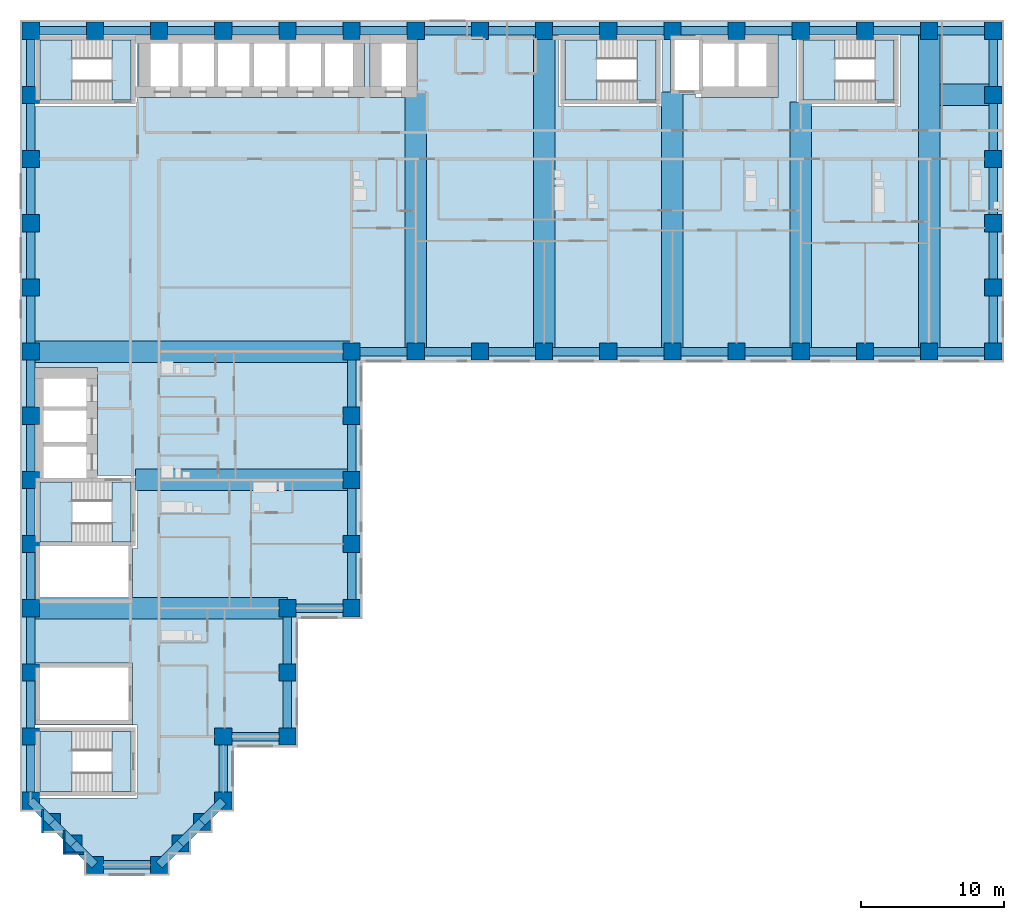
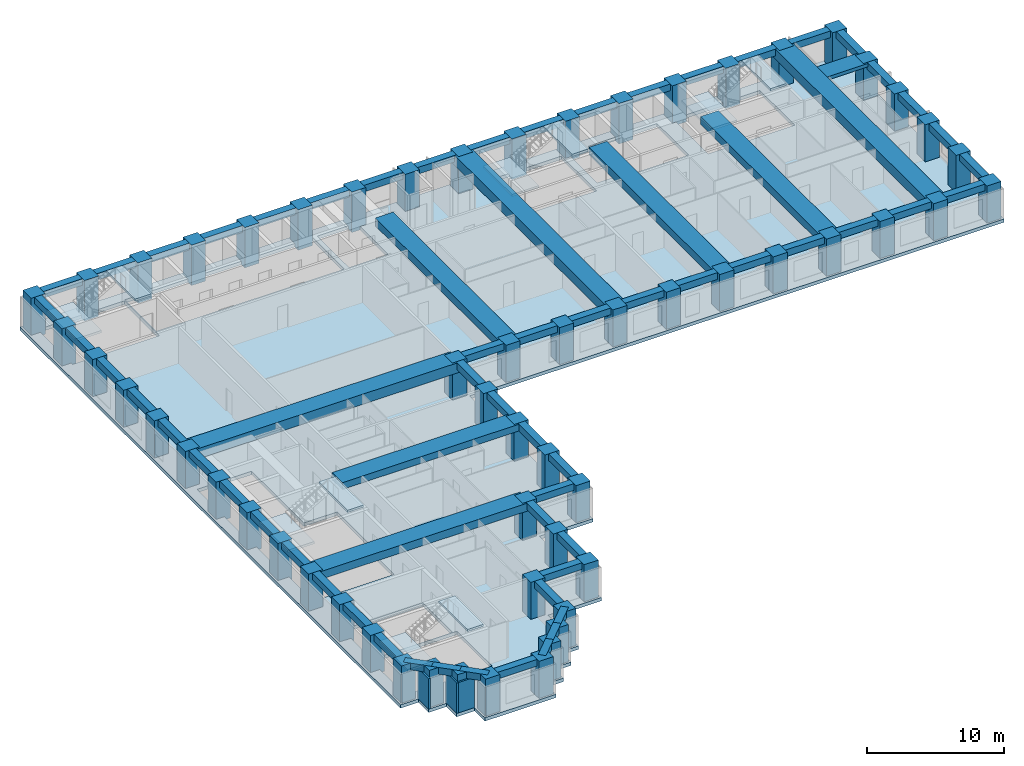
# One storey, part 1 of 11: 67 beams, 58 columns, 11 slabs, 3 walls, 5 elements without a shape of their own.
"""IFC4 building model written with IfcOpenShell, lengths in metres."""

import ifcopenshell
import ifcopenshell.guid

model = None  # the IFC model being written
_history = None  # IfcOwnerHistory: only IFC2X3 demands one
_inside = {}  # id of a spatial element -> (the spatial element, [elements in it])
_under = {}  # id of a project, library or spatial element -> (it, [spatial elements below it])
_declared = {}  # id of a project -> (the project, [libraries it declares])
_typed = {}  # id of a type object -> (the type object, [elements of that type])
_made_of = {}  # id of a material, layer set ... -> (it, [elements and type objects made of it])


def new_model(schema):
    """Start an empty IFC model of exactly this schema.

    Asked for "IFC4X3", IfcOpenShell would pick the latest addendum, in which some entities
    have other attributes; the version numbers below select the first issue.
    IFC2X3 requires an IfcOwnerHistory on every rooted entity: one is made here for all.
    """
    global model, _history
    if schema == "IFC4X3":
        model = ifcopenshell.file(schema_version=(4, 3, 0, 0))
    else:
        model = ifcopenshell.file(schema=schema)
    _inside.clear()
    _under.clear()
    _declared.clear()
    _typed.clear()
    _made_of.clear()
    _history = None
    if model.schema == "IFC2X3":
        org = make("IfcOrganization", Name="unknown")
        user = make(
            "IfcPersonAndOrganization",
            ThePerson=make("IfcPerson", FamilyName="unknown"),
            TheOrganization=org,
        )
        app = make(
            "IfcApplication",
            ApplicationDeveloper=org,
            Version="unknown",
            ApplicationFullName="unknown",
            ApplicationIdentifier="unknown",
        )
        _history = make(
            "IfcOwnerHistory",
            OwningUser=user,
            OwningApplication=app,
            ChangeAction="ADDED",
            CreationDate=0,
        )
    return model


def make(cls, **values):
    """One entity of the class cls with the attributes given. An attribute that is None is left unset."""
    return model.create_entity(
        cls, **{name: value for name, value in values.items() if value is not None}
    )


def rooted(cls, **values):
    """An entity with a GlobalId (a new one), such as an element, a storey or a relation."""
    return make(cls, GlobalId=ifcopenshell.guid.new(), OwnerHistory=_history, **values)


def si_unit(unit_type, name, prefix=None):
    """IfcSIUnit, for example si_unit("LENGTHUNIT", "METRE", prefix="MILLI")."""
    return make("IfcSIUnit", UnitType=unit_type, Prefix=prefix, Name=name)


def assignment(units):
    """IfcUnitAssignment: the units of a project."""
    return None if units is None else make("IfcUnitAssignment", Units=units)


def point(xyz):
    """IfcCartesianPoint."""
    return None if xyz is None else make("IfcCartesianPoint", Coordinates=xyz)


def direction(xyz):
    """IfcDirection."""
    return None if xyz is None else make("IfcDirection", DirectionRatios=xyz)


def frame(location, z_axis=None, x_axis=None):
    """IfcAxis2Placement3D, a coordinate frame: its origin and axes. An axis left out is left unset."""
    return make(
        "IfcAxis2Placement3D",
        Location=point(location),
        Axis=direction(z_axis),
        RefDirection=direction(x_axis),
    )


def frame_2d(location, x_axis=None):
    """IfcAxis2Placement2D, a coordinate frame in the plane: its origin and x axis."""
    return make(
        "IfcAxis2Placement2D", Location=point(location), RefDirection=direction(x_axis)
    )


def origin():
    """The frame at (0, 0, 0) with its axes left unset."""
    return frame((0.0, 0.0, 0.0))


def origin_2d():
    """The frame at (0, 0) in the plane with its x axis left unset."""
    return frame_2d((0.0, 0.0))


def place(relative_to, where):
    """IfcLocalPlacement: puts the frame where relative to a parent placement (None: the world)."""
    return make(
        "IfcLocalPlacement", PlacementRelTo=relative_to, RelativePlacement=where
    )


def context(
    kind, dimensions, precision=None, world=None, true_north=None, identifier=None
):
    """IfcGeometricRepresentationContext, for example the 3D "Model" context."""
    return make(
        "IfcGeometricRepresentationContext",
        ContextIdentifier=identifier,
        ContextType=kind,
        CoordinateSpaceDimension=dimensions,
        Precision=precision,
        WorldCoordinateSystem=world,
        TrueNorth=true_north,
    )


def subcontext(parent, identifier, kind, view, scale=None):
    """IfcGeometricRepresentationSubContext, for example "Body" below "Model"."""
    return make(
        "IfcGeometricRepresentationSubContext",
        ContextIdentifier=identifier,
        ContextType=kind,
        ParentContext=parent,
        TargetScale=scale,
        TargetView=view,
    )


def project(units=None, contexts=None):
    """IfcProject with its units and contexts."""
    return rooted(
        "IfcProject",
        Name="project",
        RepresentationContexts=contexts,
        UnitsInContext=assignment(units),
    )


def spatial(cls, under=None, at=None, **own):
    """A site, building, storey or space (cls), placed at a placement, below another one or the project."""
    s = rooted(cls, ObjectPlacement=at, **own)
    if under is not None:
        _under.setdefault(under.id(), (under, []))[1].append(s)
    return s


def polyline(points):
    """IfcPolyline through the points."""
    return make("IfcPolyline", Points=[point(p) for p in points])


def profile(cls, at=None, kind="AREA", **sizes):
    """A parametric profile (cls). Its sizes go by their IFC names, for example OverallWidth=200.0."""
    return make(cls, ProfileType=kind, Position=at, **sizes)


def rectangle(**sizes):
    """IfcRectangleProfileDef."""
    return profile("IfcRectangleProfileDef", **sizes)


def outline(outer, holes=None, kind="AREA"):
    """IfcArbitraryClosedProfileDef: a profile drawn as a closed curve; with holes, ...WithVoids."""
    if holes is None:
        return make("IfcArbitraryClosedProfileDef", ProfileType=kind, OuterCurve=outer)
    return make(
        "IfcArbitraryProfileDefWithVoids",
        ProfileType=kind,
        OuterCurve=outer,
        InnerCurves=holes,
    )


def extrude(swept, where, along, depth):
    """IfcExtrudedAreaSolid: the profile swept, set in the frame where, extruded along a direction by depth."""
    return make(
        "IfcExtrudedAreaSolid",
        SweptArea=swept,
        Position=where,
        ExtrudedDirection=direction(along),
        Depth=depth,
    )


def shape(context_of_items, identifier, shape_type, items):
    """IfcShapeRepresentation: the items that make up one representation, for example the "Body"."""
    return make(
        "IfcShapeRepresentation",
        ContextOfItems=context_of_items,
        RepresentationIdentifier=identifier,
        RepresentationType=shape_type,
        Items=items,
    )


def material(Name=None, Category=None):
    """IfcMaterial."""
    return make("IfcMaterial", Name=Name, Category=Category)


def layer(
    of_material, thickness, ventilated=None, Name=None, Category=None, Priority=None
):
    """IfcMaterialLayer: one layer of a wall or slab, of a material (None: an air gap)."""
    return make(
        "IfcMaterialLayer",
        Material=of_material,
        LayerThickness=thickness,
        IsVentilated=ventilated,
        Name=Name,
        Category=Category,
        Priority=Priority,
    )


def layer_set(layers, Name=None):
    """IfcMaterialLayerSet."""
    return make("IfcMaterialLayerSet", MaterialLayers=layers, LayerSetName=Name)


def material_profile(
    of_material, cross_section, Name=None, Category=None, Priority=None
):
    """IfcMaterialProfile: a cross section and its material."""
    return make(
        "IfcMaterialProfile",
        Name=Name,
        Material=of_material,
        Profile=cross_section,
        Priority=Priority,
        Category=Category,
    )


def profile_set(profiles, Name=None, composite=None):
    """IfcMaterialProfileSet."""
    return make(
        "IfcMaterialProfileSet",
        Name=Name,
        MaterialProfiles=profiles,
        CompositeProfile=composite,
    )


def made_of(thing, what):
    """Note that an element or type object is made of a material, layer set ...; save() writes the relation."""
    if what is not None:
        _made_of.setdefault(what.id(), (what, []))[1].append(thing)
    return thing


def type_object(cls, material=None, **own):
    """A type object (cls), such as IfcWallType, which elements share."""
    return made_of(rooted(cls, **own), material)


def element(
    cls,
    number,
    at=None,
    inside=None,
    cuts=None,
    type_object=None,
    material=None,
    context=None,
    identifier="Body",
    shape_type=None,
    held_by="IfcProductDefinitionShape",
    body=None,
    shapes=None,
    **own,
):
    """One element of the class cls, such as IfcWall. Its Tag is "e" and its number.

    at: its placement. inside: the storey or other place that contains it. cuts: it is an
    opening in that element (IfcRelVoidsElement). A single representation is given by context,
    identifier, shape_type and body (its items); several are given by shapes. held_by: the class
    of the entity that holds the representations. save() writes the other relations.
    """
    e = rooted(cls, Tag="e%d" % number, ObjectPlacement=at, **own)
    if body is not None:
        shapes = [shape(context, identifier, shape_type, body)]
    if shapes is not None:
        e.Representation = make(held_by, Representations=shapes)
    if inside is not None:
        _inside.setdefault(inside.id(), (inside, []))[1].append(e)
    if cuts is not None:
        rooted(
            "IfcRelVoidsElement", RelatingBuildingElement=cuts, RelatedOpeningElement=e
        )
    if type_object is not None:
        _typed.setdefault(type_object.id(), (type_object, []))[1].append(e)
    return made_of(e, material)


def aggregate(whole, parts):
    """IfcRelAggregates: a whole, such as a stair, and the parts it consists of."""
    return rooted("IfcRelAggregates", RelatingObject=whole, RelatedObjects=parts)


def save(model, path):
    """Write the relations noted so far, then the file.

    IfcRelAggregates (storeys below a building ...), IfcRelContainedInSpatialStructure (elements
    in a storey), IfcRelDefinesByType, IfcRelAssociatesMaterial and IfcRelDeclares: one each for
    every whole, place, type object, material and project.
    """
    for whole, parts in _under.values():
        aggregate(whole, parts)
    for where, things in _inside.values():
        rooted(
            "IfcRelContainedInSpatialStructure",
            RelatedElements=things,
            RelatingStructure=where,
        )
    for kind, things in _typed.values():
        rooted("IfcRelDefinesByType", RelatedObjects=things, RelatingType=kind)
    for what, things in _made_of.values():
        rooted("IfcRelAssociatesMaterial", RelatedObjects=things, RelatingMaterial=what)
    for by, libraries in _declared.values():
        rooted("IfcRelDeclares", RelatingContext=by, RelatedDefinitions=libraries)
    model.write(path)


model = new_model("IFC4")

# Units and contexts
model_context = context("Model", 3, precision=1e-05, world=origin(), true_north=direction((0.0, 1.0)))
body_context = subcontext(model_context, "Body", "Model", "MODEL_VIEW")
ifc_project = project(units=[si_unit("LENGTHUNIT", "METRE"), si_unit("AREAUNIT", "SQUARE_METRE"), si_unit("VOLUMEUNIT", "CUBIC_METRE"), si_unit("PLANEANGLEUNIT", "RADIAN"), si_unit("MASSUNIT", "GRAM", prefix="KILO")], contexts=[model_context])

# Site, building, storey
site_placement = place(None, origin())
site = spatial("IfcSite", under=ifc_project, at=site_placement, CompositionType="ELEMENT")
building_placement = place(site_placement, origin())
building = spatial("IfcBuilding", under=site, at=building_placement, Name="Firuza Court", CompositionType="ELEMENT")
storey_placement = place(building_placement, frame((0.0, 0.0, 57.800048828125)))
storey = spatial("IfcBuildingStorey", under=building, at=storey_placement, Name="L13", CompositionType="ELEMENT", Elevation=57.800048828125)

# Columns
ifc_material_1 = material(Name="Concrete C70/85", Category="concrete")
ifc_material_profile_1 = material_profile(ifc_material_1, rectangle(XDim=1.199951171875, YDim=1.199951171875, at=origin_2d()), Name="RC 1200x1200")
ifc_profile_set_1 = profile_set([ifc_material_profile_1], Name="Concrete C70/85")
column_type = type_object("IfcColumnType", Name="Tube column RC 1200x1200 C70/85", PredefinedType="COLUMN", material=ifc_profile_set_1)
for number, where, z_axis, x_axis, name in (
    (1, (4.5, 0.0, -0.300048828125), (0.0, 0.0, 1.0), (1.0, 0.0, 0.0), "Column C-2D L13"),
    (2, (9.0, 0.0, -0.300048828125), (0.0, 0.0, 1.0), (1.0, 0.0, 0.0), "Column C-3D L13"),
    (3, (3.0, 1.5, -0.300048828125), (0.0, 0.0, 1.0), (1.0, 0.0, 0.0), "Column C-SA1 L13"),
    (4, (10.5, 1.5, -0.300048828125), (0.0, 0.0, 1.0), (1.0, 0.0, 0.0), "Column C-SA2 L13"),
    (5, (1.5, 3.0, -0.300048828125), (0.0, 0.0, 1.0), (1.0, 0.0, 0.0), "Column C-SA3 L13"),
    (6, (12.0, 3.0, -0.300048828125), (0.0, 0.0, 1.0), (1.0, 0.0, 0.0), "Column C-SA4 L13"),
    (7, (0.0, 4.5, -0.300048828125), (0.0, 0.0, 1.0), (1.0, 0.0, 0.0), "Column C-1E L13"),
    (8, (13.5, 4.5, -0.300048828125), (0.0, 0.0, 1.0), (1.0, 0.0, 0.0), "Column C-4E L13"),
    (9, (0.0, 9.0, -0.300048828125), (0.0, 0.0, 1.0), (1.0, 0.0, 0.0), "Column C-1F L13"),
    (10, (13.5, 9.0, -0.300048828125), (0.0, 0.0, 1.0), (1.0, 0.0, 0.0), "Column C-4F L13"),
    (11, (18.0, 9.0, -0.300048828125), (0.0, 0.0, 1.0), (1.0, 0.0, 0.0), "Column C-5F L13"),
    (12, (0.0, 13.5, -0.300048828125), (0.0, 0.0, 1.0), (1.0, 0.0, 0.0), "Column C-1G L13"),
    (13, (18.0, 13.5, -0.300048828125), (0.0, 0.0, 1.0), (1.0, 0.0, 0.0), "Column C-5G L13"),
    (14, (0.0, 18.0, -0.300048828125), (0.0, 0.0, 1.0), (1.0, 0.0, 0.0), "Column C-1H L13"),
    (15, (18.0, 18.0, -0.300048828125), (0.0, 0.0, 1.0), (1.0, 0.0, 0.0), "Column C-5H L13"),
    (16, (22.5, 18.0, -0.300048828125), (0.0, 0.0, 1.0), (1.0, 0.0, 0.0), "Column C-6H L13"),
    (17, (0.0, 22.5, -0.300048828125), (0.0, 0.0, 1.0), (1.0, 0.0, 0.0), "Column C-1J L13"),
    (18, (22.5, 22.5, -0.300048828125), (0.0, 0.0, 1.0), (1.0, 0.0, 0.0), "Column C-6J L13"),
    (19, (0.0, 27.0, -0.300048828125), (0.0, 0.0, 1.0), (1.0, 0.0, 0.0), "Column C-1K L13"),
    (20, (22.5, 27.0, -0.300048828125), (0.0, 0.0, 1.0), (1.0, 0.0, 0.0), "Column C-6K L13"),
    (21, (0.0, 31.5, -0.300048828125), (0.0, 0.0, 1.0), (1.0, 0.0, 0.0), "Column C-1L L13"),
    (22, (22.5, 31.5, -0.300048828125), (0.0, 0.0, 1.0), (1.0, 0.0, 0.0), "Column C-6L L13"),
    (23, (0.0, 36.0, -0.300048828125), (0.0, 0.0, 1.0), (1.0, 0.0, 0.0), "Column C-1M L13"),
    (24, (22.5, 36.0, -0.300048828125), (0.0, 0.0, 1.0), (1.0, 0.0, 0.0), "Column C-6M L13"),
    (25, (27.0, 36.0, -0.300048828125), (0.0, 0.0, 1.0), (1.0, 0.0, 0.0), "Column C-7M L13"),
    (26, (31.5, 36.0, -0.300048828125), (0.0, 0.0, 1.0), (1.0, 0.0, 0.0), "Column C-8M L13"),
    (27, (36.0, 36.0, -0.300048828125), (0.0, 0.0, 1.0), (1.0, 0.0, 0.0), "Column C-9M L13"),
    (28, (40.5, 36.0, -0.300048828125), (0.0, 0.0, 1.0), (1.0, 0.0, 0.0), "Column C-10M L13"),
    (29, (45.0, 36.0, -0.300048828125), (0.0, 0.0, 1.0), (1.0, 0.0, 0.0), "Column C-11M L13"),
    (30, (49.5, 36.0, -0.300048828125), (0.0, 0.0, 1.0), (1.0, 0.0, 0.0), "Column C-12M L13"),
    (31, (54.0, 36.0, -0.300048828125), (0.0, 0.0, 1.0), (1.0, 0.0, 0.0), "Column C-13M L13"),
    (32, (58.5, 36.0, -0.300048828125), (0.0, 0.0, 1.0), (1.0, 0.0, 0.0), "Column C-14M L13"),
    (33, (63.0, 36.0, -0.300048828125), (0.0, 0.0, 1.0), (1.0, 0.0, 0.0), "Column C-15M L13"),
    (34, (67.5, 36.0, -0.300048828125), (0.0, 0.0, 1.0), (1.0, 0.0, 0.0), "Column C-16M L13"),
    (35, (0.0, 40.5, -0.300048828125), (0.0, 0.0, 1.0), (1.0, 0.0, 0.0), "Column C-1N L13"),
    (36, (67.5, 40.5, -0.300048828125), (0.0, 0.0, 1.0), (1.0, 0.0, 0.0), "Column C-16N L13"),
    (37, (0.0, 45.0, -0.300048828125), (0.0, 0.0, 1.0), (1.0, 0.0, 0.0), "Column C-1P L13"),
    (38, (67.5, 45.0, -0.300048828125), (0.0, 0.0, 1.0), (1.0, 0.0, 0.0), "Column C-16P L13"),
    (39, (0.0, 49.5, -0.300048828125), (0.0, 0.0, 1.0), (1.0, 0.0, 0.0), "Column C-1Q L13"),
    (40, (67.5, 49.5, -0.300048828125), (0.0, 0.0, 1.0), (1.0, 0.0, 0.0), "Column C-16Q L13"),
    (41, (0.0, 54.0, -0.300048828125), (0.0, 0.0, 1.0), (1.0, 0.0, 0.0), "Column C-1R L13"),
    (42, (67.5, 54.0, -0.300048828125), (0.0, 0.0, 1.0), (1.0, 0.0, 0.0), "Column C-16R L13"),
    (43, (0.0, 58.5, -0.300048828125), (0.0, 0.0, 1.0), (1.0, 0.0, 0.0), "Column C-1S L13"),
    (44, (4.5, 58.5, -0.300048828125), (0.0, 0.0, 1.0), (1.0, 0.0, 0.0), "Column C-2S L13"),
    (45, (9.0, 58.5, -0.300048828125), (0.0, 0.0, 1.0), (1.0, 0.0, 0.0), "Column C-3S L13"),
    (46, (13.5, 58.5, -0.300048828125), (0.0, 0.0, 1.0), (1.0, 0.0, 0.0), "Column C-4S L13"),
    (47, (18.0, 58.5, -0.300048828125), (0.0, 0.0, 1.0), (1.0, 0.0, 0.0), "Column C-5S L13"),
    (48, (22.5, 58.5, -0.300048828125), (0.0, 0.0, 1.0), (1.0, 0.0, 0.0), "Column C-6S L13"),
    (49, (27.0, 58.5, -0.300048828125), (0.0, 0.0, 1.0), (1.0, 0.0, 0.0), "Column C-7S L13"),
    (50, (31.5, 58.5, -0.300048828125), (0.0, 0.0, 1.0), (1.0, 0.0, 0.0), "Column C-8S L13"),
    (51, (36.0, 58.5, -0.300048828125), (0.0, 0.0, 1.0), (1.0, 0.0, 0.0), "Column C-9S L13"),
    (52, (40.5, 58.5, -0.300048828125), (0.0, 0.0, 1.0), (1.0, 0.0, 0.0), "Column C-10S L13"),
    (53, (45.0, 58.5, -0.300048828125), (0.0, 0.0, 1.0), (1.0, 0.0, 0.0), "Column C-11S L13"),
    (54, (49.5, 58.5, -0.300048828125), (0.0, 0.0, 1.0), (1.0, 0.0, 0.0), "Column C-12S L13"),
    (55, (54.0, 58.5, -0.300048828125), (0.0, 0.0, 1.0), (1.0, 0.0, 0.0), "Column C-13S L13"),
    (56, (58.5, 58.5, -0.300048828125), (0.0, 0.0, 1.0), (1.0, 0.0, 0.0), "Column C-14S L13"),
    (57, (63.0, 58.5, -0.300048828125), (0.0, 0.0, 1.0), (1.0, 0.0, 0.0), "Column C-15S L13"),
    (58, (67.5, 58.5, -0.300048828125), (0.0, 0.0, 1.0), (1.0, 0.0, 0.0), "Column C-16S L13"),
):
    element("IfcColumn", number, at=place(storey_placement, frame(where, z_axis=z_axis, x_axis=x_axis)), inside=storey, type_object=column_type, Name=name, PredefinedType="COLUMN", context=body_context, shape_type="SweptSolid", body=[
        extrude(rectangle(XDim=1.199951171875, YDim=1.199951171875, at=origin_2d()), origin(), (0.0, 0.0, 1.0), 3.60009765625),
    ])

# Beams
ifc_material_2 = material(Name="Concrete C40/50", Category="concrete")
ifc_material_profile_2 = material_profile(ifc_material_2, rectangle(XDim=1.5, YDim=0.300048828125, at=origin_2d()), Name="RC 1500x300")
ifc_profile_set_2 = profile_set([ifc_material_profile_2], Name="Concrete C40/50")
beam_type_1 = type_object("IfcBeamType", Name="Band beam RC 1500x300 C40/50", PredefinedType="BEAM", material=ifc_profile_set_2)
beam_1_placement = place(storey_placement, frame((67.5, 54.0, 3.14990234375), z_axis=(-1.0, 0.0, 0.0), x_axis=(0.0, -1.0, 0.0)))
element("IfcBeam", 59, at=beam_1_placement, inside=storey, type_object=beam_type_1, Name="Band beam FB6 level L14", PredefinedType="BEAM", context=body_context, shape_type="SweptSolid", body=[
    extrude(rectangle(XDim=1.5, YDim=0.300048828125, at=origin_2d()), origin(), (0.0, 0.0, 1.0), 3.75),
])
ifc_material_3 = material(Name="Concrete C40/50", Category="concrete")
ifc_material_profile_3 = material_profile(ifc_material_3, rectangle(XDim=1.5, YDim=0.60009765625, at=origin_2d()), Name="RC 1500x600")
ifc_profile_set_3 = profile_set([ifc_material_profile_3], Name="Concrete C40/50")
beam_type_2 = type_object("IfcBeamType", Name="Band beam RC 1500x600 C40/50", PredefinedType="BEAM", material=ifc_profile_set_3)
beam_2_placement = place(storey_placement, frame((22.5, 27.0, 3.0), z_axis=(-1.0, 0.0, 0.0), x_axis=(0.0, -1.0, 0.0)))
element("IfcBeam", 60, at=beam_2_placement, inside=storey, type_object=beam_type_2, Name="Band beam FB3 level L14", PredefinedType="BEAM", context=body_context, shape_type="SweptSolid", body=[
    extrude(rectangle(XDim=1.5, YDim=0.60009765625, at=origin_2d()), origin(), (0.0, 0.0, 1.0), 15.14990234375),
])
ifc_material_4 = material(Name="Concrete C40/50", Category="concrete")
ifc_material_profile_4 = material_profile(ifc_material_4, rectangle(XDim=1.5, YDim=0.699951171875, at=origin_2d()), Name="RC 1500x700")
ifc_profile_set_4 = profile_set([ifc_material_profile_4], Name="Concrete C40/50")
beam_type_3 = type_object("IfcBeamType", Name="Band beam RC 1500x700 C40/50", PredefinedType="BEAM", material=ifc_profile_set_4)
beam_3_placement = place(storey_placement, frame((0.0, 18.0, 2.949951171875), z_axis=(1.0, 0.0, 0.0), x_axis=(0.0, 1.0, 0.0)))
element("IfcBeam", 61, at=beam_3_placement, inside=storey, type_object=beam_type_3, Name="Band beam FB1 level L14", PredefinedType="BEAM", context=body_context, shape_type="SweptSolid", body=[
    extrude(rectangle(XDim=1.5, YDim=0.699951171875, at=origin_2d()), origin(), (0.0, 0.0, 1.0), 18.0),
])
for number, where, z_axis, x_axis, name in (
    (62, (27.0, 36.0, 2.949951171875), (0.0, 1.0, 0.0), (-1.0, 0.0, 0.0), "Band beam FB1 level L14"),
    (63, (45.0, 36.0, 2.949951171875), (0.0, 1.0, 0.0), (-1.0, 0.0, 0.0), "Band beam FB1 level L14"),
):
    element("IfcBeam", number, at=place(storey_placement, frame(where, z_axis=z_axis, x_axis=x_axis)), inside=storey, type_object=beam_type_3, Name=name, PredefinedType="BEAM", context=body_context, shape_type="SweptSolid", body=[
        extrude(rectangle(XDim=1.5, YDim=0.699951171875, at=origin_2d()), origin(), (0.0, 0.0, 1.0), 18.199951171875),
    ])
beam_4_placement = place(storey_placement, frame((54.0, 36.0, 2.949951171875), z_axis=(0.0, 1.0, 0.0), x_axis=(-1.0, 0.0, 0.0)))
element("IfcBeam", 64, at=beam_4_placement, inside=storey, type_object=beam_type_3, Name="Band beam FB1 level L14", PredefinedType="BEAM", context=body_context, shape_type="SweptSolid", body=[
    extrude(rectangle(XDim=1.5, YDim=0.699951171875, at=origin_2d()), origin(), (0.0, 0.0, 1.0), 17.5),
])
ifc_material_5 = material(Name="Concrete C40/50", Category="concrete")
ifc_material_profile_5 = material_profile(ifc_material_5, rectangle(XDim=1.5, YDim=0.89990234375, at=origin_2d()), Name="RC 1500x900")
ifc_profile_set_5 = profile_set([ifc_material_profile_5], Name="Concrete C40/50")
beam_type_4 = type_object("IfcBeamType", Name="Band beam RC 1500x900 C40/50", PredefinedType="BEAM", material=ifc_profile_set_5)
for number, where, z_axis, x_axis, name in (
    (65, (0.0, 36.0, 2.849853515625), (1.0, 0.0, 0.0), (0.0, 1.0, 0.0), "Band beam FB2 level L14"),
    (66, (36.0, 36.0, 2.849853515625), (0.0, 1.0, 0.0), (-1.0, 0.0, 0.0), "Band beam FB2 level L14"),
    (67, (63.0, 36.0, 2.849853515625), (0.0, 1.0, 0.0), (-1.0, 0.0, 0.0), "Band beam FB2 level L14"),
):
    element("IfcBeam", number, at=place(storey_placement, frame(where, z_axis=z_axis, x_axis=x_axis)), inside=storey, type_object=beam_type_4, Name=name, PredefinedType="BEAM", context=body_context, shape_type="SweptSolid", body=[
        extrude(rectangle(XDim=1.5, YDim=0.89990234375, at=origin_2d()), origin(), (0.0, 0.0, 1.0), 22.5),
    ])
ifc_material_6 = material(Name="Concrete C40/50", Category="concrete")
ifc_material_profile_6 = material_profile(ifc_material_6, rectangle(XDim=0.60009765625, YDim=0.60009765625, at=origin_2d()), Name="RC 600x600")
ifc_profile_set_6 = profile_set([ifc_material_profile_6], Name="Concrete C40/50")
beam_type_5 = type_object("IfcBeamType", Name="Spandrel beam RC 600x600 C40/50", PredefinedType="BEAM", material=ifc_profile_set_6)
beam_5_placement = place(storey_placement, frame((0.0, 4.5, 3.0), z_axis=(0.707106781187, -0.707106781187, 0.0), x_axis=(0.707106781187, 0.707106781187, 0.0)))
element("IfcBeam", 68, at=beam_5_placement, inside=storey, type_object=beam_type_5, Name="Spandrel beam SP11 level L14", PredefinedType="BEAM", context=body_context, shape_type="SweptSolid", body=[
    extrude(rectangle(XDim=0.60009765625, YDim=0.60009765625, at=origin_2d()), origin(), (0.0, 0.0, 1.0), 2.121337890625),
])
for number, where, z_axis, x_axis, name in (
    (69, (0.0, 9.0, 3.0), (0.0, -1.0, 0.0), (1.0, 0.0, 0.0), "Spandrel beam SP11 level L14"),
    (70, (0.0, 13.5, 3.0), (0.0, -1.0, 0.0), (1.0, 0.0, 0.0), "Spandrel beam SP11 level L14"),
    (71, (0.0, 18.0, 3.0), (0.0, -1.0, 0.0), (1.0, 0.0, 0.0), "Spandrel beam SP11 level L14"),
    (72, (0.0, 22.5, 3.0), (0.0, -1.0, 0.0), (1.0, 0.0, 0.0), "Spandrel beam SP11 level L14"),
    (73, (0.0, 27.0, 3.0), (0.0, -1.0, 0.0), (1.0, 0.0, 0.0), "Spandrel beam SP11 level L14"),
    (74, (0.0, 31.5, 3.0), (0.0, -1.0, 0.0), (1.0, 0.0, 0.0), "Spandrel beam SP11 level L14"),
    (75, (0.0, 36.0, 3.0), (0.0, -1.0, 0.0), (1.0, 0.0, 0.0), "Spandrel beam SP11 level L14"),
    (76, (0.0, 40.5, 3.0), (0.0, -1.0, 0.0), (1.0, 0.0, 0.0), "Spandrel beam SP11 level L14"),
    (77, (0.0, 45.0, 3.0), (0.0, -1.0, 0.0), (1.0, 0.0, 0.0), "Spandrel beam SP11 level L14"),
    (78, (0.0, 49.5, 3.0), (0.0, -1.0, 0.0), (1.0, 0.0, 0.0), "Spandrel beam SP11 level L14"),
    (79, (0.0, 54.0, 3.0), (0.0, -1.0, 0.0), (1.0, 0.0, 0.0), "Spandrel beam SP11 level L14"),
    (80, (0.0, 58.5, 3.0), (0.0, -1.0, 0.0), (1.0, 0.0, 0.0), "Spandrel beam SP11 level L14"),
):
    element("IfcBeam", number, at=place(storey_placement, frame(where, z_axis=z_axis, x_axis=x_axis)), inside=storey, type_object=beam_type_5, Name=name, PredefinedType="BEAM", context=body_context, shape_type="SweptSolid", body=[
        extrude(rectangle(XDim=0.60009765625, YDim=0.60009765625, at=origin_2d()), origin(), (0.0, 0.0, 1.0), 4.5),
    ])
for number, where, z_axis, x_axis, name in (
    (81, (1.5, 3.0, 3.0), (0.707106781187, -0.707106781187, 0.0), (0.707106781187, 0.707106781187, 0.0), "Spandrel beam SP11 level L14"),
    (82, (3.0, 1.5, 3.0), (0.707106781187, -0.707106781187, 0.0), (0.707106781187, 0.707106781187, 0.0), "Spandrel beam SP11 level L14"),
):
    element("IfcBeam", number, at=place(storey_placement, frame(where, z_axis=z_axis, x_axis=x_axis)), inside=storey, type_object=beam_type_5, Name=name, PredefinedType="BEAM", context=body_context, shape_type="SweptSolid", body=[
        extrude(rectangle(XDim=0.60009765625, YDim=0.60009765625, at=origin_2d()), origin(), (0.0, 0.0, 1.0), 2.121337890625),
    ])
for number, where, z_axis, x_axis, name in (
    (83, (4.5, 0.0, 3.0), (1.0, 0.0, 0.0), (0.0, 1.0, 0.0), "Spandrel beam SP11 level L14"),
    (84, (4.5, 58.5, 3.0), (-1.0, 0.0, 0.0), (0.0, -1.0, 0.0), "Spandrel beam SP11 level L14"),
):
    element("IfcBeam", number, at=place(storey_placement, frame(where, z_axis=z_axis, x_axis=x_axis)), inside=storey, type_object=beam_type_5, Name=name, PredefinedType="BEAM", context=body_context, shape_type="SweptSolid", body=[
        extrude(rectangle(XDim=0.60009765625, YDim=0.60009765625, at=origin_2d()), origin(), (0.0, 0.0, 1.0), 4.5),
    ])
beam_6_placement = place(storey_placement, frame((9.0, 0.0, 3.0), z_axis=(0.707106781187, 0.707106781187, 0.0), x_axis=(-0.707106781187, 0.707106781187, 0.0)))
element("IfcBeam", 85, at=beam_6_placement, inside=storey, type_object=beam_type_5, Name="Spandrel beam SP11 level L14", PredefinedType="BEAM", context=body_context, shape_type="SweptSolid", body=[
    extrude(rectangle(XDim=0.60009765625, YDim=0.60009765625, at=origin_2d()), origin(), (0.0, 0.0, 1.0), 2.121337890625),
])
beam_7_placement = place(storey_placement, frame((9.0, 58.5, 3.0), z_axis=(-1.0, 0.0, 0.0), x_axis=(0.0, -1.0, 0.0)))
element("IfcBeam", 86, at=beam_7_placement, inside=storey, type_object=beam_type_5, Name="Spandrel beam SP11 level L14", PredefinedType="BEAM", context=body_context, shape_type="SweptSolid", body=[
    extrude(rectangle(XDim=0.60009765625, YDim=0.60009765625, at=origin_2d()), origin(), (0.0, 0.0, 1.0), 4.5),
])
for number, where, z_axis, x_axis, name in (
    (87, (10.5, 1.5, 3.0), (0.707106781187, 0.707106781187, 0.0), (-0.707106781187, 0.707106781187, 0.0), "Spandrel beam SP11 level L14"),
    (88, (12.0, 3.0, 3.0), (0.707106781187, 0.707106781187, 0.0), (-0.707106781187, 0.707106781187, 0.0), "Spandrel beam SP11 level L14"),
):
    element("IfcBeam", number, at=place(storey_placement, frame(where, z_axis=z_axis, x_axis=x_axis)), inside=storey, type_object=beam_type_5, Name=name, PredefinedType="BEAM", context=body_context, shape_type="SweptSolid", body=[
        extrude(rectangle(XDim=0.60009765625, YDim=0.60009765625, at=origin_2d()), origin(), (0.0, 0.0, 1.0), 2.121337890625),
    ])
for number, where, z_axis, x_axis, name in (
    (89, (13.5, 4.5, 3.0), (0.0, 1.0, 0.0), (-1.0, 0.0, 0.0), "Spandrel beam SP11 level L14"),
    (90, (13.5, 9.0, 3.0), (1.0, 0.0, 0.0), (0.0, 1.0, 0.0), "Spandrel beam SP11 level L14"),
    (91, (13.5, 58.5, 3.0), (-1.0, 0.0, 0.0), (0.0, -1.0, 0.0), "Spandrel beam SP11 level L14"),
    (92, (18.0, 9.0, 3.0), (0.0, 1.0, 0.0), (-1.0, 0.0, 0.0), "Spandrel beam SP11 level L14"),
    (93, (18.0, 13.5, 3.0), (0.0, 1.0, 0.0), (-1.0, 0.0, 0.0), "Spandrel beam SP11 level L14"),
    (94, (18.0, 18.0, 3.0), (1.0, 0.0, 0.0), (0.0, 1.0, 0.0), "Spandrel beam SP11 level L14"),
    (95, (18.0, 58.5, 3.0), (-1.0, 0.0, 0.0), (0.0, -1.0, 0.0), "Spandrel beam SP11 level L14"),
    (96, (22.5, 18.0, 3.0), (0.0, 1.0, 0.0), (-1.0, 0.0, 0.0), "Spandrel beam SP11 level L14"),
    (97, (22.5, 22.5, 3.0), (0.0, 1.0, 0.0), (-1.0, 0.0, 0.0), "Spandrel beam SP11 level L14"),
    (98, (22.5, 27.0, 3.0), (0.0, 1.0, 0.0), (-1.0, 0.0, 0.0), "Spandrel beam SP11 level L14"),
    (99, (22.5, 31.5, 3.0), (0.0, 1.0, 0.0), (-1.0, 0.0, 0.0), "Spandrel beam SP11 level L14"),
    (100, (22.5, 36.0, 3.0), (1.0, 0.0, 0.0), (0.0, 1.0, 0.0), "Spandrel beam SP11 level L14"),
    (101, (22.5, 58.5, 3.0), (-1.0, 0.0, 0.0), (0.0, -1.0, 0.0), "Spandrel beam SP11 level L14"),
    (102, (27.0, 36.0, 3.0), (1.0, 0.0, 0.0), (0.0, 1.0, 0.0), "Spandrel beam SP11 level L14"),
    (103, (27.0, 58.5, 3.0), (-1.0, 0.0, 0.0), (0.0, -1.0, 0.0), "Spandrel beam SP11 level L14"),
    (104, (31.5, 36.0, 3.0), (1.0, 0.0, 0.0), (0.0, 1.0, 0.0), "Spandrel beam SP11 level L14"),
    (105, (31.5, 58.5, 3.0), (-1.0, 0.0, 0.0), (0.0, -1.0, 0.0), "Spandrel beam SP11 level L14"),
    (106, (36.0, 36.0, 3.0), (1.0, 0.0, 0.0), (0.0, 1.0, 0.0), "Spandrel beam SP11 level L14"),
    (107, (36.0, 58.5, 3.0), (-1.0, 0.0, 0.0), (0.0, -1.0, 0.0), "Spandrel beam SP11 level L14"),
    (108, (40.5, 36.0, 3.0), (1.0, 0.0, 0.0), (0.0, 1.0, 0.0), "Spandrel beam SP11 level L14"),
    (109, (40.5, 58.5, 3.0), (-1.0, 0.0, 0.0), (0.0, -1.0, 0.0), "Spandrel beam SP11 level L14"),
    (110, (45.0, 36.0, 3.0), (1.0, 0.0, 0.0), (0.0, 1.0, 0.0), "Spandrel beam SP11 level L14"),
    (111, (45.0, 58.5, 3.0), (-1.0, 0.0, 0.0), (0.0, -1.0, 0.0), "Spandrel beam SP11 level L14"),
    (112, (49.5, 36.0, 3.0), (1.0, 0.0, 0.0), (0.0, 1.0, 0.0), "Spandrel beam SP11 level L14"),
    (113, (49.5, 58.5, 3.0), (-1.0, 0.0, 0.0), (0.0, -1.0, 0.0), "Spandrel beam SP11 level L14"),
    (114, (54.0, 36.0, 3.0), (1.0, 0.0, 0.0), (0.0, 1.0, 0.0), "Spandrel beam SP11 level L14"),
    (115, (54.0, 58.5, 3.0), (-1.0, 0.0, 0.0), (0.0, -1.0, 0.0), "Spandrel beam SP11 level L14"),
    (116, (58.5, 36.0, 3.0), (1.0, 0.0, 0.0), (0.0, 1.0, 0.0), "Spandrel beam SP11 level L14"),
    (117, (58.5, 58.5, 3.0), (-1.0, 0.0, 0.0), (0.0, -1.0, 0.0), "Spandrel beam SP11 level L14"),
    (118, (63.0, 36.0, 3.0), (1.0, 0.0, 0.0), (0.0, 1.0, 0.0), "Spandrel beam SP11 level L14"),
    (119, (63.0, 58.5, 3.0), (-1.0, 0.0, 0.0), (0.0, -1.0, 0.0), "Spandrel beam SP11 level L14"),
    (120, (67.5, 36.0, 3.0), (0.0, 1.0, 0.0), (-1.0, 0.0, 0.0), "Spandrel beam SP11 level L14"),
    (121, (67.5, 40.5, 3.0), (0.0, 1.0, 0.0), (-1.0, 0.0, 0.0), "Spandrel beam SP11 level L14"),
    (122, (67.5, 45.0, 3.0), (0.0, 1.0, 0.0), (-1.0, 0.0, 0.0), "Spandrel beam SP11 level L14"),
    (123, (67.5, 49.5, 3.0), (0.0, 1.0, 0.0), (-1.0, 0.0, 0.0), "Spandrel beam SP11 level L14"),
    (124, (67.5, 54.0, 3.0), (0.0, 1.0, 0.0), (-1.0, 0.0, 0.0), "Spandrel beam SP11 level L14"),
    (125, (67.5, 58.5, 3.0), (-1.0, 0.0, 0.0), (0.0, -1.0, 0.0), "Spandrel beam SP11 level L14"),
):
    element("IfcBeam", number, at=place(storey_placement, frame(where, z_axis=z_axis, x_axis=x_axis)), inside=storey, type_object=beam_type_5, Name=name, PredefinedType="BEAM", context=body_context, shape_type="SweptSolid", body=[
        extrude(rectangle(XDim=0.60009765625, YDim=0.60009765625, at=origin_2d()), origin(), (0.0, 0.0, 1.0), 4.5),
    ])

# Slab
ifc_material_7 = material(Name="Concrete C40/50", Category="concrete")
ifc_layer_1 = layer(ifc_material_7, 0.300048828125)
ifc_layer_set_1 = layer_set([ifc_layer_1], Name="Concrete C40/50")
slab_type_1 = type_object("IfcSlabType", Name="Floor slab 300 C40/50", PredefinedType="FLOOR", material=ifc_layer_set_1)
slab_1_placement = place(storey_placement, frame((0.0, 0.0, -0.300048828125)))
element("IfcSlab", 126, at=slab_1_placement, inside=storey, type_object=slab_type_1, Name="Floor slab L13", PredefinedType="FLOOR", context=body_context, shape_type="SweptSolid", body=[
    extrude(outline(polyline([(3.75, -0.75), (3.75, 0.75), (2.25, 0.75), (2.25, 2.25), (0.75, 2.25), (0.75, 3.75), (-0.75, 3.75), (-0.75, 59.25), (68.25, 59.25), (68.25, 35.25), (23.25, 35.25), (23.25, 17.25), (18.75, 17.25), (18.75, 8.25), (14.25, 8.25), (14.25, 3.75), (12.75, 3.75), (12.75, 2.25), (11.25, 2.25), (11.25, 0.75), (9.75, 0.75), (9.75, -0.75), (3.75, -0.75)]), holes=[polyline([(7.5, 9.800048828125), (0.199951171875, 9.800048828125), (0.199951171875, 4.699951171875), (7.5, 4.699951171875), (7.5, 9.800048828125)]), polyline([(7.14990234375, 14.14990234375), (0.35009765625, 14.14990234375), (0.35009765625, 9.85009765625), (7.14990234375, 9.85009765625), (7.14990234375, 14.14990234375)]), polyline([(0.199951171875, 22.199951171875), (0.35009765625, 22.199951171875), (0.35009765625, 18.35009765625), (7.14990234375, 18.35009765625), (7.14990234375, 22.199951171875), (7.5, 22.199951171875), (7.5, 27.300048828125), (4.699951171875, 27.300048828125), (4.699951171875, 29.10009765625), (4.699951171875, 29.89990234375), (4.699951171875, 31.60009765625), (4.699951171875, 32.39990234375), (4.699951171875, 34.89990234375), (0.10009765625, 34.89990234375), (0.10009765625, 32.39990234375), (0.10009765625, 31.60009765625), (0.10009765625, 29.89990234375), (0.10009765625, 29.10009765625), (0.10009765625, 26.60009765625), (0.199951171875, 26.60009765625), (0.199951171875, 22.199951171875)]), polyline([(7.5, 58.300048828125), (0.199951171875, 58.300048828125), (0.199951171875, 53.199951171875), (7.5, 53.199951171875), (7.5, 58.300048828125)]), polyline([(10.10009765625, 58.39990234375), (7.60009765625, 58.39990234375), (7.60009765625, 53.800048828125), (10.10009765625, 53.800048828125), (10.89990234375, 53.800048828125), (12.60009765625, 53.800048828125), (13.39990234375, 53.800048828125), (15.10009765625, 53.800048828125), (15.89990234375, 53.800048828125), (17.60009765625, 53.800048828125), (18.39990234375, 53.800048828125), (20.10009765625, 53.800048828125), (20.89990234375, 53.800048828125), (23.39990234375, 53.800048828125), (23.39990234375, 58.39990234375), (20.89990234375, 58.39990234375), (20.10009765625, 58.39990234375), (18.39990234375, 58.39990234375), (17.60009765625, 58.39990234375), (15.89990234375, 58.39990234375), (15.10009765625, 58.39990234375), (13.39990234375, 58.39990234375), (12.60009765625, 58.39990234375), (10.89990234375, 58.39990234375), (10.10009765625, 58.39990234375)]), polyline([(44.300048828125, 58.300048828125), (37.0, 58.300048828125), (37.0, 53.199951171875), (44.300048828125, 53.199951171875), (44.300048828125, 58.300048828125)]), polyline([(61.0, 58.300048828125), (53.699951171875, 58.300048828125), (53.699951171875, 53.199951171875), (61.0, 53.199951171875), (61.0, 58.300048828125)]), polyline([(27.10009765625, 58.39990234375), (23.800048828125, 58.39990234375), (23.800048828125, 53.800048828125), (27.10009765625, 53.800048828125), (27.10009765625, 58.39990234375)]), polyline([(46.60009765625, 58.14990234375), (44.85009765625, 58.14990234375), (44.85009765625, 54.050048828125), (46.60009765625, 54.050048828125), (46.60009765625, 53.800048828125), (49.10009765625, 53.800048828125), (49.89990234375, 53.800048828125), (52.39990234375, 53.800048828125), (52.39990234375, 58.39990234375), (49.89990234375, 58.39990234375), (49.10009765625, 58.39990234375), (46.60009765625, 58.39990234375), (46.60009765625, 58.14990234375)])]), origin(), (0.0, 0.0, 1.0), 0.300048828125),
])

# Stair, slabs
ifc_material_8 = material(Name="Concrete C40/50 precast", Category="concrete")
stair_type = type_object("IfcStairType", Name="Stair 1350 x 3600 2 flights", PredefinedType="HALF_TURN_STAIR", material=ifc_material_8)
stair_1_placement = place(storey_placement, origin())
stair_1 = element("IfcStair", 127, at=stair_1_placement, inside=storey, type_object=stair_type, Name="Stair 1 L13", PredefinedType="HALF_TURN_STAIR")
ifc_material_9 = material(Name="Concrete C40/50 precast", Category="concrete")
ifc_layer_2 = layer(ifc_material_9, 0.199951171875)
ifc_layer_set_2 = layer_set([ifc_layer_2], Name="Concrete C40/50 precast")
slab_type_2 = type_object("IfcSlabType", Name="Stair landing 200", PredefinedType="LANDING", material=ifc_layer_set_2)
slab_2_placement = place(storey_placement, frame((0.0, 0.0, 1.599853515625)))
slab_2 = element("IfcSlab", 128, at=slab_2_placement, type_object=slab_type_2, Name="S1 landing 1", PredefinedType="LANDING", context=body_context, shape_type="SweptSolid", body=[
    extrude(outline(polyline([(39.699951171875, 53.64990234375), (39.699951171875, 57.85009765625), (37.449951171875, 57.85009765625), (37.449951171875, 53.64990234375), (39.699951171875, 53.64990234375)])), origin(), (0.0, 0.0, 1.0), 0.2001953125),
])
slab_3_placement = place(storey_placement, frame((0.0, 0.0, 3.39990234375)))
slab_3 = element("IfcSlab", 129, at=slab_3_placement, type_object=slab_type_2, Name="S1 landing 2", PredefinedType="LANDING", context=body_context, shape_type="SweptSolid", body=[
    extrude(outline(polyline([(43.85009765625, 53.64990234375), (43.85009765625, 57.85009765625), (42.5, 57.85009765625), (42.5, 53.64990234375), (43.85009765625, 53.64990234375)])), origin(), (0.0, 0.0, 1.0), 0.199951171875),
])
aggregate(stair_1, [slab_2, slab_3])

stair_2_placement = place(storey_placement, origin())
stair_2 = element("IfcStair", 130, at=stair_2_placement, inside=storey, type_object=stair_type, Name="Stair 2 L13", PredefinedType="HALF_TURN_STAIR")
slab_4_placement = place(storey_placement, frame((0.0, 0.0, 1.599853515625)))
slab_4 = element("IfcSlab", 131, at=slab_4_placement, type_object=slab_type_2, Name="S2 landing 1", PredefinedType="LANDING", context=body_context, shape_type="SweptSolid", body=[
    extrude(outline(polyline([(2.89990234375, 22.64990234375), (2.89990234375, 26.85009765625), (0.64990234375, 26.85009765625), (0.64990234375, 22.64990234375), (2.89990234375, 22.64990234375)])), origin(), (0.0, 0.0, 1.0), 0.2001953125),
])
slab_5_placement = place(storey_placement, frame((0.0, 0.0, 3.39990234375)))
slab_5 = element("IfcSlab", 132, at=slab_5_placement, type_object=slab_type_2, Name="S2 landing 2", PredefinedType="LANDING", context=body_context, shape_type="SweptSolid", body=[
    extrude(outline(polyline([(7.050048828125, 22.64990234375), (7.050048828125, 26.85009765625), (5.699951171875, 26.85009765625), (5.699951171875, 22.64990234375), (7.050048828125, 22.64990234375)])), origin(), (0.0, 0.0, 1.0), 0.199951171875),
])
aggregate(stair_2, [slab_4, slab_5])

stair_3_placement = place(storey_placement, origin())
stair_3 = element("IfcStair", 133, at=stair_3_placement, inside=storey, type_object=stair_type, Name="Stair 3 L13", PredefinedType="HALF_TURN_STAIR")
slab_6_placement = place(storey_placement, frame((0.0, 0.0, 1.599853515625)))
slab_6 = element("IfcSlab", 134, at=slab_6_placement, type_object=slab_type_2, Name="S3 landing 1", PredefinedType="LANDING", context=body_context, shape_type="SweptSolid", body=[
    extrude(outline(polyline([(2.89990234375, 53.64990234375), (2.89990234375, 57.85009765625), (0.64990234375, 57.85009765625), (0.64990234375, 53.64990234375), (2.89990234375, 53.64990234375)])), origin(), (0.0, 0.0, 1.0), 0.2001953125),
])
slab_7_placement = place(storey_placement, frame((0.0, 0.0, 3.39990234375)))
slab_7 = element("IfcSlab", 135, at=slab_7_placement, type_object=slab_type_2, Name="S3 landing 2", PredefinedType="LANDING", context=body_context, shape_type="SweptSolid", body=[
    extrude(outline(polyline([(7.050048828125, 53.64990234375), (7.050048828125, 57.85009765625), (5.699951171875, 57.85009765625), (5.699951171875, 53.64990234375), (7.050048828125, 53.64990234375)])), origin(), (0.0, 0.0, 1.0), 0.199951171875),
])
aggregate(stair_3, [slab_6, slab_7])

stair_4_placement = place(storey_placement, origin())
stair_4 = element("IfcStair", 136, at=stair_4_placement, inside=storey, type_object=stair_type, Name="Stair 4 L13", PredefinedType="HALF_TURN_STAIR")
slab_8_placement = place(storey_placement, frame((0.0, 0.0, 1.599853515625)))
slab_8 = element("IfcSlab", 137, at=slab_8_placement, type_object=slab_type_2, Name="S4 landing 1", PredefinedType="LANDING", context=body_context, shape_type="SweptSolid", body=[
    extrude(outline(polyline([(56.39990234375, 53.64990234375), (56.39990234375, 57.85009765625), (54.14990234375, 57.85009765625), (54.14990234375, 53.64990234375), (56.39990234375, 53.64990234375)])), origin(), (0.0, 0.0, 1.0), 0.2001953125),
])
slab_9_placement = place(storey_placement, frame((0.0, 0.0, 3.39990234375)))
slab_9 = element("IfcSlab", 138, at=slab_9_placement, type_object=slab_type_2, Name="S4 landing 2", PredefinedType="LANDING", context=body_context, shape_type="SweptSolid", body=[
    extrude(outline(polyline([(60.550048828125, 53.64990234375), (60.550048828125, 57.85009765625), (59.199951171875, 57.85009765625), (59.199951171875, 53.64990234375), (60.550048828125, 53.64990234375)])), origin(), (0.0, 0.0, 1.0), 0.199951171875),
])
aggregate(stair_4, [slab_8, slab_9])

stair_5_placement = place(storey_placement, origin())
stair_5 = element("IfcStair", 139, at=stair_5_placement, inside=storey, type_object=stair_type, Name="Stair 5 L13", PredefinedType="HALF_TURN_STAIR")
slab_10_placement = place(storey_placement, frame((0.0, 0.0, 1.599853515625)))
slab_10 = element("IfcSlab", 140, at=slab_10_placement, type_object=slab_type_2, Name="S5 landing 1", PredefinedType="LANDING", context=body_context, shape_type="SweptSolid", body=[
    extrude(outline(polyline([(2.89990234375, 5.14990234375), (2.89990234375, 9.35009765625), (0.64990234375, 9.35009765625), (0.64990234375, 5.14990234375), (2.89990234375, 5.14990234375)])), origin(), (0.0, 0.0, 1.0), 0.2001953125),
])
slab_11_placement = place(storey_placement, frame((0.0, 0.0, 3.39990234375)))
slab_11 = element("IfcSlab", 141, at=slab_11_placement, type_object=slab_type_2, Name="S5 landing 2", PredefinedType="LANDING", context=body_context, shape_type="SweptSolid", body=[
    extrude(outline(polyline([(7.050048828125, 5.14990234375), (7.050048828125, 9.35009765625), (5.699951171875, 9.35009765625), (5.699951171875, 5.14990234375), (7.050048828125, 5.14990234375)])), origin(), (0.0, 0.0, 1.0), 0.199951171875),
])
aggregate(stair_5, [slab_10, slab_11])

# Walls
ifc_material_10 = material(Name="Ceramic tile", Category="ceramic")
ifc_layer_3 = layer(ifc_material_10, 0.02001953125)
ifc_material_11 = material(Name="Mineral wool insulation", Category="insulation")
ifc_layer_4 = layer(ifc_material_11, 0.050048828125)
ifc_layer_5 = layer(ifc_material_9, 0.080078125)
ifc_layer_set_3 = layer_set([ifc_layer_3, ifc_layer_4, ifc_layer_5], Name="Concrete C40/50 precast")
wall_type = type_object("IfcWallType", Name="Precast cladding wall with turquoise TILE PANEL face 150", PredefinedType="STANDARD", material=ifc_layer_set_3)
for number, where, z_axis, x_axis, name in (
    (142, (0.824951171875, 3.89990234375, 0.0), (0.0, 0.0, 1.0), (0.0, -1.0, 0.0), "Facade wall L13 W"),
    (143, (2.324951171875, 2.39990234375, 0.0), (0.0, 0.0, 1.0), (0.0, -1.0, 0.0), "Facade wall L13 W"),
):
    element("IfcWall", number, at=place(storey_placement, frame(where, z_axis=z_axis, x_axis=x_axis)), inside=storey, type_object=wall_type, Name=name, PredefinedType="STANDARD", context=body_context, shape_type="SweptSolid", body=[
        extrude(rectangle(XDim=1.64990234375, YDim=0.14990234375, at=frame_2d((0.824951171875, 0.0))), origin(), (0.0, 0.0, 1.0), 2.699951171875),
    ])
wall_placement = place(storey_placement, frame((2.39990234375, 0.824951171875, 0.0), z_axis=(0.0, 0.0, 1.0), x_axis=(1.0, 0.0, 0.0)))
element("IfcWall", 144, at=wall_placement, inside=storey, type_object=wall_type, Name="Facade wall L13 S", PredefinedType="STANDARD", context=body_context, shape_type="SweptSolid", body=[
    extrude(rectangle(XDim=1.35009765625, YDim=0.14990234375, at=frame_2d((0.675048828125, 0.0))), origin(), (0.0, 0.0, 1.0), 2.699951171875),
])

save(model, "model.ifc")
